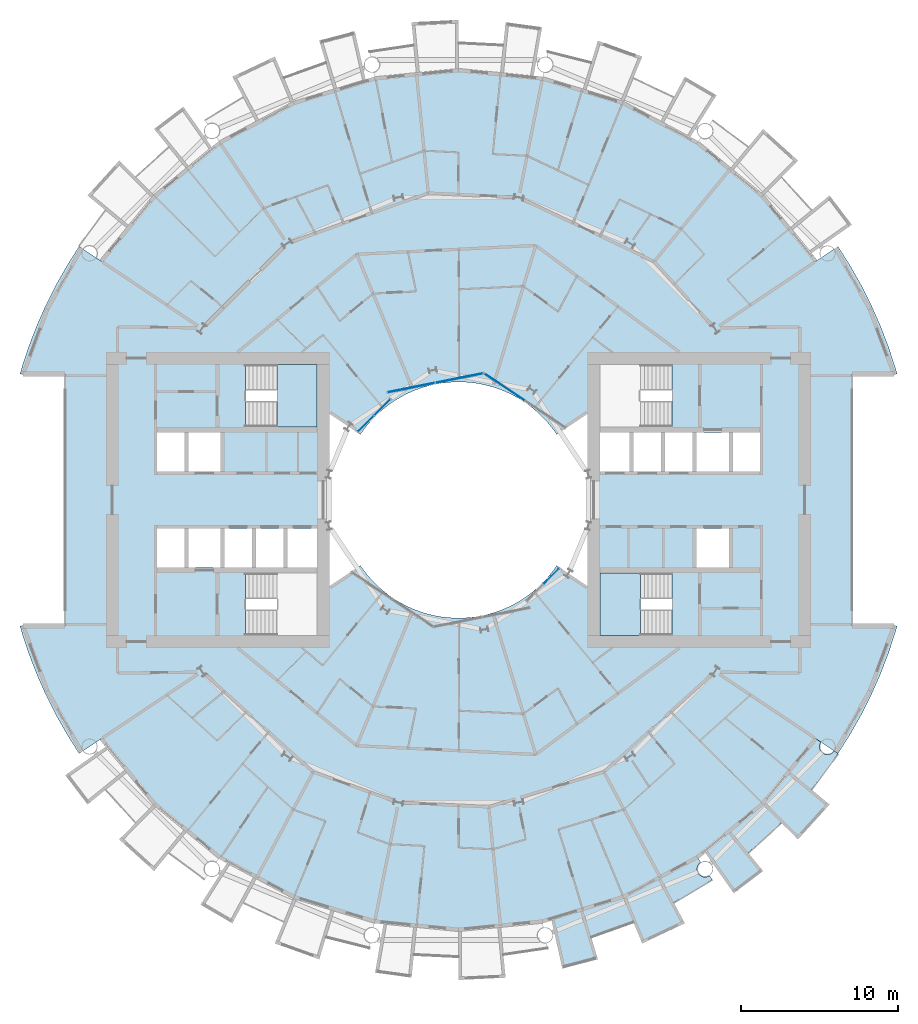
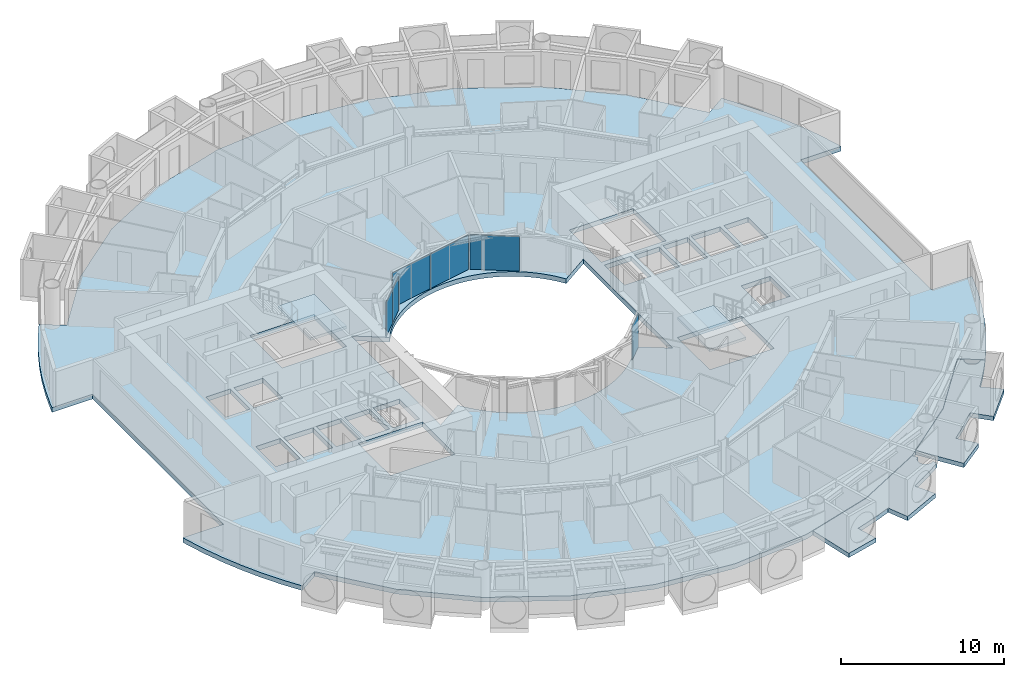
# One storey, part 10 of 25: 6 plates, 5 slabs, 6 elements without a shape of their own.
"""IFC4 building model written with IfcOpenShell, lengths in metres."""

from ifc_helpers import new_model, si_unit, direction, frame, origin, origin_2d, place, context, subcontext, project, spatial, polyline, rectangle, outline, extrude, material, layer, layer_set, type_object, element, aggregate, save


model = new_model("IFC4")

# Units and contexts
model_context = context("Model", 3, precision=1e-05, world=origin(), true_north=direction((0.0, 1.0)))
body_context = subcontext(model_context, "Body", "Model", "MODEL_VIEW")
ifc_project = project(units=[si_unit("LENGTHUNIT", "METRE"), si_unit("AREAUNIT", "SQUARE_METRE"), si_unit("VOLUMEUNIT", "CUBIC_METRE"), si_unit("PLANEANGLEUNIT", "RADIAN"), si_unit("MASSUNIT", "GRAM", prefix="KILO")], contexts=[model_context])

# Site, building, storey
site_placement = place(None, origin())
site = spatial("IfcSite", under=ifc_project, at=site_placement, CompositionType="ELEMENT")
building_placement = place(site_placement, origin())
building = spatial("IfcBuilding", under=site, at=building_placement, Name="Maasbend Ring Residences", CompositionType="ELEMENT")
storey_placement = place(building_placement, frame((0.0, 0.0, 41.10009765625)))
storey = spatial("IfcBuildingStorey", under=building, at=storey_placement, Name="L11", CompositionType="ELEMENT", Elevation=41.10009765625)

# Stair, slab
ifc_material_1 = material(Name="Concrete C40/50", Category="concrete")
stair_type = type_object("IfcStairType", Name="CORE STAIR 18 RISERS", PredefinedType="HALF_TURN_STAIR", material=ifc_material_1)
stair_1_placement = place(storey_placement, origin())
stair_1 = element("IfcStair", 1, at=stair_1_placement, inside=storey, type_object=stair_type, Name="L11 Exit stair ST-E2", PredefinedType="HALF_TURN_STAIR")
ifc_material_2 = material(Name="Concrete C40/50", Category="concrete")
ifc_layer_1 = layer(ifc_material_2, 0.199951171875)
ifc_layer_set_1 = layer_set([ifc_layer_1], Name="Concrete C40/50")
slab_type_1 = type_object("IfcSlabType", Name="CORE STAIR LANDING 200", PredefinedType="LANDING", material=ifc_layer_set_1)
slab_1_placement = place(storey_placement, frame((0.0, 0.0, 1.324951171875)))
slab_1 = element("IfcSlab", 2, at=slab_1_placement, type_object=slab_type_1, Name="ST-E2 landing 1", PredefinedType="LANDING", context=body_context, shape_type="SweptSolid", body=[
    extrude(outline(polyline([(11.550048828125, -4.64990234375), (9.0, -4.64990234375), (9.0, -8.60009765625), (11.550048828125, -8.60009765625), (11.550048828125, -4.64990234375)])), origin(), (0.0, 0.0, 1.0), 0.199951171875),
])
aggregate(stair_1, [slab_1])

stair_2_placement = place(storey_placement, origin())
stair_2 = element("IfcStair", 3, at=stair_2_placement, inside=storey, type_object=stair_type, Name="L11 Exit stair ST-W2", PredefinedType="HALF_TURN_STAIR")
slab_2_placement = place(storey_placement, frame((0.0, 0.0, 1.324951171875)))
slab_2 = element("IfcSlab", 4, at=slab_2_placement, type_object=slab_type_1, Name="ST-W2 landing 1", PredefinedType="LANDING", context=body_context, shape_type="SweptSolid", body=[
    extrude(outline(polyline([(-11.550048828125, 4.64990234375), (-9.0, 4.64990234375), (-9.0, 8.60009765625), (-11.550048828125, 8.60009765625), (-11.550048828125, 4.64990234375)])), origin(), (0.0, 0.0, 1.0), 0.199951171875),
])
aggregate(stair_2, [slab_2])

# Curtain wall, plate
ifc_material_3 = material(Name="Aluminium and clear glass", Category="aluminium")
ifc_layer_2 = layer(ifc_material_3, 0.179931640625)
ifc_layer_set_2 = layer_set([ifc_layer_2], Name="CW-W")
curtain_wall_type = type_object("IfcCurtainWallType", Name="CW-W", PredefinedType="NOTDEFINED", material=ifc_layer_set_2)
curtain_wall_1_placement = place(storey_placement, origin())
curtain_wall_1 = element("IfcCurtainWall", 5, at=curtain_wall_1_placement, inside=storey, type_object=curtain_wall_type, Name="Well curtain wall N1", PredefinedType="NOTDEFINED")
ifc_material_4 = material(Name="Glass clear laminated", Category="glass")
ifc_layer_3 = layer(ifc_material_4, 0.031982421875)
ifc_layer_set_3 = layer_set([ifc_layer_3], Name="CWP-W")
plate_type = type_object("IfcPlateType", Name="CWP-W", PredefinedType="CURTAIN_PANEL", material=ifc_layer_set_3)
plate_1_placement = place(storey_placement, frame((2.922119140625, 7.17578125, -0.000244140625), z_axis=(0.0, 0.0, 1.0), x_axis=(-0.831469612303, 0.55557023302, 0.0)))
plate_1 = element("IfcPlate", 6, at=plate_1_placement, type_object=plate_type, Name="Glass panel well face", PredefinedType="CURTAIN_PANEL", context=body_context, shape_type="SweptSolid", body=[
    extrude(rectangle(XDim=3.053955078125, YDim=0.031982421875, at=origin_2d()), origin(), (0.0, 0.0, 1.0), 2.580078125),
])
aggregate(curtain_wall_1, [plate_1])

# Curtain wall, plates
curtain_wall_2_placement = place(storey_placement, origin())
curtain_wall_2 = element("IfcCurtainWall", 7, at=curtain_wall_2_placement, inside=storey, type_object=curtain_wall_type, Name="Well curtain wall N2", PredefinedType="NOTDEFINED")
plate_2_placement = place(storey_placement, frame((0.04638671875, 7.747802734375, -0.000244140625), z_axis=(0.0, 0.0, 1.0), x_axis=(-0.980785280403, -0.195090322016, 0.0)))
plate_2 = element("IfcPlate", 8, at=plate_2_placement, type_object=plate_type, Name="Glass panel well face", PredefinedType="CURTAIN_PANEL", context=body_context, shape_type="SweptSolid", body=[
    extrude(rectangle(XDim=3.053955078125, YDim=0.031982421875, at=origin_2d()), origin(), (0.0, 0.0, 1.0), 2.580078125),
])
plate_3_placement = place(storey_placement, frame((-3.0078125, 7.140380859375, -0.000244140625), z_axis=(0.0, 0.0, 1.0), x_axis=(-0.980785280403, -0.195090322016, 0.0)))
plate_3 = element("IfcPlate", 9, at=plate_3_placement, type_object=plate_type, Name="Glass panel well face", PredefinedType="CURTAIN_PANEL", context=body_context, shape_type="SweptSolid", body=[
    extrude(rectangle(XDim=3.053955078125, YDim=0.031982421875, at=origin_2d()), origin(), (0.0, 0.0, 1.0), 2.580078125),
])
aggregate(curtain_wall_2, [plate_2, plate_3])

curtain_wall_3_placement = place(storey_placement, origin())
curtain_wall_3 = element("IfcCurtainWall", 10, at=curtain_wall_3_placement, inside=storey, type_object=curtain_wall_type, Name="Well curtain wall N3", PredefinedType="NOTDEFINED")
plate_4_placement = place(storey_placement, frame((-4.84375, 5.89013671875, -0.000244140625), z_axis=(0.0, 0.0, 1.0), x_axis=(-0.707106781187, -0.707106781187, 0.0)))
plate_4 = element("IfcPlate", 11, at=plate_4_placement, type_object=plate_type, Name="Glass panel well face", PredefinedType="CURTAIN_PANEL", context=body_context, shape_type="SweptSolid", body=[
    extrude(rectangle(XDim=1.419677734375, YDim=0.031982421875, at=origin_2d()), origin(), (0.0, 0.0, 1.0), 2.580078125),
])
plate_5_placement = place(storey_placement, frame((-5.89013671875, 4.84375, -0.000244140625), z_axis=(0.0, 0.0, 1.0), x_axis=(-0.707106781187, -0.707106781187, 0.0)))
plate_5 = element("IfcPlate", 12, at=plate_5_placement, type_object=plate_type, Name="Glass panel well face", PredefinedType="CURTAIN_PANEL", context=body_context, shape_type="SweptSolid", body=[
    extrude(rectangle(XDim=1.419677734375, YDim=0.031982421875, at=origin_2d()), origin(), (0.0, 0.0, 1.0), 2.580078125),
])
aggregate(curtain_wall_3, [plate_4, plate_5])

# Curtain wall, plate
curtain_wall_4_placement = place(storey_placement, origin())
curtain_wall_4 = element("IfcCurtainWall", 13, at=curtain_wall_4_placement, inside=storey, type_object=curtain_wall_type, Name="Well curtain wall S3", PredefinedType="NOTDEFINED")
plate_6_placement = place(storey_placement, frame((5.89013671875, -4.84375, -0.000244140625), z_axis=(0.0, 0.0, 1.0), x_axis=(0.707106781187, 0.707106781187, 0.0)))
plate_6 = element("IfcPlate", 14, at=plate_6_placement, type_object=plate_type, Name="Glass panel well face", PredefinedType="CURTAIN_PANEL", context=body_context, shape_type="SweptSolid", body=[
    extrude(rectangle(XDim=1.419677734375, YDim=0.031982421875, at=origin_2d()), origin(), (0.0, 0.0, 1.0), 2.580078125),
])
aggregate(curtain_wall_4, [plate_6])

# Slabs
ifc_material_5 = material(Name="Concrete C40/50", Category="concrete")
ifc_layer_4 = layer(ifc_material_5, 0.35009765625)
ifc_layer_set_4 = layer_set([ifc_layer_4], Name="Concrete C40/50")
slab_type_2 = type_object("IfcSlabType", Name="Post-tensioned flat plate 350", PredefinedType="FLOOR", material=ifc_layer_set_4)
slab_3_placement = place(storey_placement, frame((0.0, 0.0, -0.35009765625)))
element("IfcSlab", 15, at=slab_3_placement, inside=storey, type_object=slab_type_2, Name="Floor slab L11", PredefinedType="FLOOR", context=body_context, shape_type="SweptSolid", body=[
    extrude(outline(polyline([(24.8740234375, -14.908935546875), (25.57568359375, -13.67041015625), (26.2158203125, -12.399169921875), (26.79248046875, -11.097900390625), (27.3046875, -9.769775390625), (27.751220703125, -8.418212890625), (27.866943359375, -8.0), (25.0, -8.0), (25.0, 8.0), (27.866943359375, 8.0), (27.751220703125, 8.418212890625), (27.3046875, 9.769775390625), (26.79248046875, 11.097900390625), (26.2158203125, 12.399169921875), (25.57568359375, 13.67041015625), (24.8740234375, 14.908935546875), (24.112548828125, 16.111572265625), (22.69921875, 15.1669921875), (19.303955078125, 19.303955078125), (15.1669921875, 22.69921875), (10.447265625, 25.221923828125), (5.325927734375, 26.775390625), (0.0, 27.300048828125), (-5.325927734375, 26.775390625), (-10.447265625, 25.221923828125), (-15.1669921875, 22.69921875), (-19.303955078125, 19.303955078125), (-22.69921875, 15.1669921875), (-24.112548828125, 16.111572265625), (-24.8740234375, 14.908935546875), (-25.57568359375, 13.67041015625), (-26.2158203125, 12.399169921875), (-26.79248046875, 11.097900390625), (-27.3046875, 9.769775390625), (-27.751220703125, 8.418212890625), (-27.866943359375, 8.0), (-25.0, 8.0), (-25.0, -8.0), (-27.866943359375, -8.0), (-27.751220703125, -8.418212890625), (-27.3046875, -9.769775390625), (-26.79248046875, -11.097900390625), (-26.2158203125, -12.399169921875), (-25.57568359375, -13.67041015625), (-24.8740234375, -14.908935546875), (-24.112548828125, -16.111572265625), (-22.69921875, -15.1669921875), (-19.303955078125, -19.303955078125), (-15.1669921875, -22.69921875), (-10.447265625, -25.221923828125), (-5.325927734375, -26.775390625), (0.0, -27.300048828125), (5.325927734375, -26.775390625), (10.447265625, -25.221923828125), (15.1669921875, -22.69921875), (19.303955078125, -19.303955078125), (22.69921875, -15.1669921875), (24.112548828125, -16.111572265625), (24.8740234375, -14.908935546875)]), holes=[polyline([(17.425048828125, 4.27490234375), (19.14990234375, 4.27490234375), (19.14990234375, 1.824951171875), (17.425048828125, 1.824951171875), (17.425048828125, 4.27490234375)]), polyline([(15.125, 1.824951171875), (15.125, 4.27490234375), (17.175048828125, 4.27490234375), (17.175048828125, 1.824951171875), (15.125, 1.824951171875)]), polyline([(15.125, -4.27490234375), (15.125, -1.824951171875), (17.175048828125, -1.824951171875), (17.175048828125, -4.27490234375), (15.125, -4.27490234375)]), polyline([(13.125, 1.824951171875), (13.125, 4.27490234375), (14.875, 4.27490234375), (14.875, 1.824951171875), (13.125, 1.824951171875)]), polyline([(13.550048828125, 4.64990234375), (9.0, 4.64990234375), (9.0, 8.60009765625), (13.550048828125, 8.60009765625), (13.550048828125, 4.64990234375)]), polyline([(13.550048828125, -4.64990234375), (13.550048828125, -8.60009765625), (9.0, -8.60009765625), (9.0, -4.64990234375), (13.550048828125, -4.64990234375)]), polyline([(11.125, 1.824951171875), (11.125, 4.27490234375), (12.875, 4.27490234375), (12.875, 1.824951171875), (11.125, 1.824951171875)]), polyline([(9.0, 1.824951171875), (9.0, 4.27490234375), (10.875, 4.27490234375), (10.875, 1.824951171875), (9.0, 1.824951171875)]), polyline([(6.024169921875, 4.4677734375), (6.236083984375, 4.166748046875), (8.199951171875, 5.47900390625), (8.199951171875, -5.47900390625), (6.236083984375, -4.166748046875), (6.024169921875, -4.4677734375), (5.797607421875, -4.7578125), (5.55712890625, -5.03662109375), (5.30322265625, -5.30322265625), (5.03662109375, -5.55712890625), (4.7578125, -5.797607421875), (4.4677734375, -6.024169921875), (4.166748046875, -6.236083984375), (3.855712890625, -6.43310546875), (3.535400390625, -6.614501953125), (3.206787109375, -6.77978515625), (2.8701171875, -6.92919921875), (2.526611328125, -7.0615234375), (2.177001953125, -7.177001953125), (1.822509765625, -7.275146484375), (1.463134765625, -7.35595703125), (1.1005859375, -7.418701171875), (0.735107421875, -7.4638671875), (0.367919921875, -7.490966796875), (0.0, -7.5), (-0.367919921875, -7.490966796875), (-0.735107421875, -7.4638671875), (-1.1005859375, -7.418701171875), (-1.463134765625, -7.35595703125), (-1.822509765625, -7.275146484375), (-2.177001953125, -7.177001953125), (-2.526611328125, -7.0615234375), (-2.8701171875, -6.92919921875), (-3.206787109375, -6.77978515625), (-3.535400390625, -6.614501953125), (-3.855712890625, -6.43310546875), (-4.166748046875, -6.236083984375), (-4.4677734375, -6.024169921875), (-4.7578125, -5.797607421875), (-5.03662109375, -5.55712890625), (-5.30322265625, -5.30322265625), (-5.55712890625, -5.03662109375), (-5.797607421875, -4.7578125), (-6.024169921875, -4.4677734375), (-6.236083984375, -4.166748046875), (-8.199951171875, -5.47900390625), (-8.199951171875, 5.47900390625), (-6.236083984375, 4.166748046875), (-6.236083984375, 4.166748046875), (-6.024169921875, 4.4677734375), (-5.797607421875, 4.7578125), (-5.55712890625, 5.03662109375), (-5.30322265625, 5.30322265625), (-5.03662109375, 5.55712890625), (-4.7578125, 5.797607421875), (-4.4677734375, 6.024169921875), (-4.166748046875, 6.236083984375), (-3.855712890625, 6.43310546875), (-3.535400390625, 6.614501953125), (-3.206787109375, 6.77978515625), (-2.8701171875, 6.92919921875), (-2.526611328125, 7.0615234375), (-2.177001953125, 7.177001953125), (-1.822509765625, 7.275146484375), (-1.463134765625, 7.35595703125), (-1.1005859375, 7.418701171875), (-0.735107421875, 7.4638671875), (-0.367919921875, 7.490966796875), (0.0, 7.5), (0.367919921875, 7.490966796875), (0.735107421875, 7.4638671875), (1.1005859375, 7.418701171875), (1.463134765625, 7.35595703125), (1.822509765625, 7.275146484375), (2.177001953125, 7.177001953125), (2.526611328125, 7.0615234375), (2.8701171875, 6.92919921875), (3.206787109375, 6.77978515625), (3.535400390625, 6.614501953125), (3.855712890625, 6.43310546875), (4.166748046875, 6.236083984375), (4.4677734375, 6.024169921875), (4.7578125, 5.797607421875), (5.03662109375, 5.55712890625), (5.30322265625, 5.30322265625), (5.55712890625, 5.03662109375), (5.797607421875, 4.7578125), (6.024169921875, 4.4677734375)]), polyline([(-13.550048828125, 4.64990234375), (-13.550048828125, 8.60009765625), (-9.0, 8.60009765625), (-9.0, 4.64990234375), (-13.550048828125, 4.64990234375)]), polyline([(-13.550048828125, -8.60009765625), (-13.550048828125, -4.64990234375), (-9.0, -4.64990234375), (-9.0, -8.60009765625), (-13.550048828125, -8.60009765625)]), polyline([(-9.0, -1.824951171875), (-9.0, -4.27490234375), (-10.875, -4.27490234375), (-10.875, -1.824951171875), (-9.0, -1.824951171875)]), polyline([(-11.125, -1.824951171875), (-11.125, -4.27490234375), (-12.875, -4.27490234375), (-12.875, -1.824951171875), (-11.125, -1.824951171875)]), polyline([(-13.125, -1.824951171875), (-13.125, -4.27490234375), (-14.875, -4.27490234375), (-14.875, -1.824951171875), (-13.125, -1.824951171875)]), polyline([(-15.125, 4.27490234375), (-15.125, 1.824951171875), (-17.175048828125, 1.824951171875), (-17.175048828125, 4.27490234375), (-15.125, 4.27490234375)]), polyline([(-15.125, -1.824951171875), (-15.125, -4.27490234375), (-17.175048828125, -4.27490234375), (-17.175048828125, -1.824951171875), (-15.125, -1.824951171875)]), polyline([(-17.425048828125, -1.824951171875), (-17.425048828125, -4.27490234375), (-19.14990234375, -4.27490234375), (-19.14990234375, -1.824951171875), (-17.425048828125, -1.824951171875)]), polyline([(-17.425048828125, 4.27490234375), (-17.425048828125, 1.824951171875), (-19.14990234375, 1.824951171875), (-19.14990234375, 4.27490234375), (-17.425048828125, 4.27490234375)])]), origin(), (0.0, 0.0, 1.0), 0.35009765625),
])
ifc_material_6 = material(Name="Concrete C40/50", Category="concrete")
ifc_layer_5 = layer(ifc_material_6, 0.199951171875)
ifc_layer_set_5 = layer_set([ifc_layer_5], Name="Concrete C40/50")
slab_type_3 = type_object("IfcSlabType", Name="SL-LOGGIA", PredefinedType="FLOOR", material=ifc_layer_set_5)
slab_4_placement = place(storey_placement, frame((0.0, 0.0, -0.35009765625)))
element("IfcSlab", 16, at=slab_4_placement, inside=storey, type_object=slab_type_3, Name="Loggia floor 1", PredefinedType="FLOOR", context=body_context, shape_type="SweptSolid", body=[
    extrude(outline(polyline([(10.447021484375, -25.221923828125), (12.806884765625, -23.9609375), (15.1669921875, -22.698974609375), (15.1669921875, -22.698974609375), (15.1669921875, -22.698974609375), (15.385009765625, -23.02490234375), (15.375, -23.031982421875), (15.364013671875, -23.0390625), (15.35498046875, -23.047119140625), (15.344970703125, -23.054931640625), (15.3349609375, -23.06298828125), (15.325927734375, -23.071044921875), (15.31689453125, -23.0791015625), (15.30810546875, -23.087890625), (15.299072265625, -23.096923828125), (15.291015625, -23.10595703125), (15.281982421875, -23.115966796875), (15.27392578125, -23.125), (15.26708984375, -23.135009765625), (15.259033203125, -23.14501953125), (15.251953125, -23.155029296875), (15.2451171875, -23.1650390625), (15.238037109375, -23.176025390625), (15.23095703125, -23.18603515625), (15.22509765625, -23.197021484375), (15.218994140625, -23.2080078125), (15.212890625, -23.218994140625), (15.2080078125, -23.22998046875), (15.202880859375, -23.241943359375), (15.197998046875, -23.2529296875), (15.193115234375, -23.264892578125), (15.18896484375, -23.27587890625), (15.18505859375, -23.2880859375), (15.180908203125, -23.300048828125), (15.177978515625, -23.31201171875), (15.174072265625, -23.323974609375), (15.1708984375, -23.3359375), (15.1689453125, -23.347900390625), (15.1669921875, -23.361083984375), (15.1650390625, -23.373046875), (15.1630859375, -23.385009765625), (15.162109375, -23.39794921875), (15.159912109375, -23.409912109375), (15.159912109375, -23.422119140625), (15.158935546875, -23.43505859375), (15.158935546875, -23.447021484375), (15.158935546875, -23.4599609375), (15.159912109375, -23.471923828125), (15.159912109375, -23.485107421875), (15.162109375, -23.4970703125), (15.1630859375, -23.510009765625), (15.1650390625, -23.52197265625), (15.1669921875, -23.533935546875), (15.1689453125, -23.547119140625), (15.1708984375, -23.55908203125), (15.174072265625, -23.571044921875), (15.177978515625, -23.5830078125), (15.180908203125, -23.594970703125), (15.18505859375, -23.60693359375), (15.18896484375, -23.618896484375), (15.193115234375, -23.6298828125), (15.197998046875, -23.64208984375), (15.202880859375, -23.653076171875), (15.2080078125, -23.6650390625), (15.212890625, -23.676025390625), (15.218994140625, -23.68701171875), (15.22509765625, -23.697998046875), (15.23095703125, -23.708984375), (15.238037109375, -23.718994140625), (15.2451171875, -23.72998046875), (15.251953125, -23.739990234375), (15.259033203125, -23.75), (15.26708984375, -23.760009765625), (15.27392578125, -23.77001953125), (15.281982421875, -23.779052734375), (15.291015625, -23.7890625), (15.299072265625, -23.798095703125), (15.30810546875, -23.806884765625), (15.31689453125, -23.81494140625), (15.325927734375, -23.823974609375), (15.3349609375, -23.83203125), (15.344970703125, -23.840087890625), (15.35498046875, -23.847900390625), (15.364013671875, -23.85498046875), (15.375, -23.863037109375), (15.385009765625, -23.8701171875), (15.39501953125, -23.876953125), (15.406005859375, -23.883056640625), (15.4169921875, -23.888916015625), (15.427978515625, -23.89501953125), (15.43896484375, -23.90087890625), (15.449951171875, -23.906982421875), (15.4609375, -23.912109375), (15.472900390625, -23.9169921875), (15.48388671875, -23.9208984375), (15.49609375, -23.926025390625), (15.508056640625, -23.929931640625), (15.52001953125, -23.93408203125), (15.531982421875, -23.93701171875), (15.5439453125, -23.93994140625), (15.555908203125, -23.943115234375), (15.568115234375, -23.946044921875), (15.580078125, -23.947998046875), (15.593017578125, -23.949951171875), (15.60498046875, -23.951904296875), (15.616943359375, -23.952880859375), (15.6298828125, -23.9541015625), (15.64208984375, -23.955078125), (15.655029296875, -23.955078125), (15.6669921875, -23.955078125), (15.679931640625, -23.955078125), (15.69189453125, -23.955078125), (15.7041015625, -23.9541015625), (15.717041015625, -23.952880859375), (15.72900390625, -23.951904296875), (15.741943359375, -23.949951171875), (15.75390625, -23.947998046875), (15.76611328125, -23.946044921875), (15.778076171875, -23.943115234375), (15.791015625, -23.93994140625), (15.802978515625, -23.93701171875), (15.81494140625, -23.93408203125), (15.825927734375, -23.929931640625), (15.837890625, -23.926025390625), (15.85009765625, -23.9208984375), (15.862060546875, -23.9169921875), (15.873046875, -23.912109375), (15.884033203125, -23.906982421875), (15.89599609375, -23.90087890625), (15.906982421875, -23.89501953125), (15.9169921875, -23.888916015625), (15.927978515625, -23.883056640625), (15.93896484375, -23.876953125), (15.948974609375, -23.8701171875), (16.112060546875, -24.113037109375), (16.112060546875, -24.113037109375), (16.112060546875, -24.113037109375), (15.31396484375, -24.626953125), (15.31396484375, -24.626953125), (14.5, -25.114990234375), (14.5, -25.114990234375), (13.6708984375, -25.574951171875), (13.6708984375, -25.575927734375), (13.6708984375, -25.575927734375), (13.6708984375, -25.575927734375), (13.6708984375, -25.575927734375), (13.6708984375, -25.575927734375), (13.6708984375, -25.575927734375), (13.6708984375, -25.575927734375), (13.6708984375, -25.575927734375), (13.6708984375, -25.575927734375), (13.6708984375, -25.575927734375), (13.6708984375, -25.575927734375), (13.6708984375, -25.575927734375), (13.6708984375, -25.575927734375), (13.6708984375, -25.575927734375), (13.6708984375, -25.575927734375), (13.6708984375, -25.575927734375), (14.3779296875, -26.89892578125), (14.3779296875, -26.89892578125), (14.3779296875, -26.89892578125), (11.672119140625, -28.177978515625), (11.672119140625, -28.177978515625), (11.672119140625, -28.177978515625), (11.097900390625, -26.79296875), (11.097900390625, -26.79296875), (11.097900390625, -26.79296875), (11.097900390625, -26.79296875), (11.097900390625, -26.79296875), (11.097900390625, -26.79296875), (11.097900390625, -26.79296875), (11.097900390625, -26.79296875), (11.097900390625, -26.79296875), (11.097900390625, -26.79296875), (11.097900390625, -26.79296875), (11.097900390625, -26.79296875), (11.097900390625, -26.79296875), (11.097900390625, -26.79296875), (11.096923828125, -26.79296875), (11.096923828125, -26.79296875), (11.096923828125, -26.79296875), (10.215087890625, -27.14111328125), (10.215087890625, -27.14111328125), (9.322021484375, -27.4609375), (9.322021484375, -27.4609375), (8.4189453125, -27.7509765625), (8.4189453125, -27.7509765625), (8.4189453125, -27.7509765625), (8.4189453125, -27.7509765625), (8.4189453125, -27.7509765625), (8.4189453125, -27.7509765625), (8.41796875, -27.7509765625), (8.41796875, -27.7509765625), (8.41796875, -27.7509765625), (8.41796875, -27.7509765625), (8.41796875, -27.7509765625), (8.41796875, -27.751953125), (8.41796875, -27.751953125), (8.41796875, -27.751953125), (8.41796875, -27.751953125), (8.41796875, -27.751953125), (8.41796875, -27.751953125), (8.85400390625, -29.18701171875), (8.85400390625, -29.18701171875), (8.85400390625, -29.18701171875), (6.593994140625, -29.779052734375), (6.593994140625, -29.779052734375), (6.593994140625, -29.779052734375), (5.89111328125, -26.60400390625), (5.89111328125, -26.60400390625), (5.89111328125, -26.60400390625), (7.886962890625, -25.9990234375), (10.447021484375, -25.221923828125), (10.447021484375, -25.221923828125), (10.447021484375, -25.221923828125)])), origin(), (0.0, 0.0, 1.0), 0.320068359375),
])
slab_5_placement = place(storey_placement, frame((0.0, 0.0, -0.35009765625)))
element("IfcSlab", 17, at=slab_5_placement, inside=storey, type_object=slab_type_3, Name="Loggia floor 4", PredefinedType="FLOOR", context=body_context, shape_type="SweptSolid", body=[
    extrude(outline(polyline([(19.303955078125, -19.303955078125), (21.001953125, -17.236083984375), (22.698974609375, -15.1669921875), (22.698974609375, -15.1669921875), (22.698974609375, -15.1669921875), (23.02490234375, -15.385009765625), (23.02490234375, -15.385009765625), (23.01806640625, -15.39501953125), (23.011962890625, -15.406005859375), (23.0048828125, -15.4169921875), (22.9990234375, -15.427978515625), (22.993896484375, -15.43896484375), (22.988037109375, -15.449951171875), (22.98291015625, -15.4609375), (22.97802734375, -15.472900390625), (22.972900390625, -15.48388671875), (22.968994140625, -15.49609375), (22.965087890625, -15.508056640625), (22.9609375, -15.52001953125), (22.9580078125, -15.531982421875), (22.955078125, -15.5439453125), (22.951904296875, -15.555908203125), (22.948974609375, -15.568115234375), (22.947021484375, -15.580078125), (22.945068359375, -15.593017578125), (22.943115234375, -15.60498046875), (22.94189453125, -15.616943359375), (22.94091796875, -15.6298828125), (22.93994140625, -15.64208984375), (22.93994140625, -15.655029296875), (22.93896484375, -15.6669921875), (22.93994140625, -15.679931640625), (22.93994140625, -15.69189453125), (22.94091796875, -15.7041015625), (22.94189453125, -15.717041015625), (22.943115234375, -15.72900390625), (22.945068359375, -15.741943359375), (22.947021484375, -15.75390625), (22.948974609375, -15.76611328125), (22.951904296875, -15.778076171875), (22.955078125, -15.791015625), (22.9580078125, -15.802978515625), (22.9609375, -15.81494140625), (22.965087890625, -15.825927734375), (22.968994140625, -15.837890625), (22.972900390625, -15.85009765625), (22.97802734375, -15.862060546875), (22.98291015625, -15.873046875), (22.988037109375, -15.884033203125), (22.993896484375, -15.89599609375), (22.9990234375, -15.906982421875), (23.0048828125, -15.9169921875), (23.011962890625, -15.927978515625), (23.01806640625, -15.93896484375), (23.02490234375, -15.948974609375), (23.031982421875, -15.9599609375), (23.0390625, -15.969970703125), (23.047119140625, -15.97998046875), (23.054931640625, -15.989013671875), (23.06298828125, -15.9990234375), (23.071044921875, -16.008056640625), (23.0791015625, -16.01708984375), (23.087890625, -16.02587890625), (23.096923828125, -16.034912109375), (23.10595703125, -16.0439453125), (23.115966796875, -16.052001953125), (23.125, -16.06005859375), (23.135009765625, -16.068115234375), (23.14501953125, -16.074951171875), (23.155029296875, -16.08203125), (23.1650390625, -16.089111328125), (23.176025390625, -16.095947265625), (23.18603515625, -16.10302734375), (23.197021484375, -16.10888671875), (23.2080078125, -16.114990234375), (23.218994140625, -16.12109375), (23.22998046875, -16.1259765625), (23.241943359375, -16.132080078125), (23.2529296875, -16.135986328125), (23.264892578125, -16.14111328125), (23.27587890625, -16.14501953125), (23.2880859375, -16.14892578125), (23.300048828125, -16.153076171875), (23.31201171875, -16.156982421875), (23.323974609375, -16.159912109375), (23.3359375, -16.1630859375), (23.347900390625, -16.1650390625), (23.361083984375, -16.16796875), (23.373046875, -16.169921875), (23.385009765625, -16.1708984375), (23.39794921875, -16.173095703125), (23.409912109375, -16.174072265625), (23.422119140625, -16.174072265625), (23.43505859375, -16.175048828125), (23.447021484375, -16.175048828125), (23.4599609375, -16.175048828125), (23.471923828125, -16.174072265625), (23.485107421875, -16.174072265625), (23.4970703125, -16.173095703125), (23.510009765625, -16.1708984375), (23.52197265625, -16.169921875), (23.533935546875, -16.16796875), (23.547119140625, -16.1650390625), (23.55908203125, -16.1630859375), (23.571044921875, -16.159912109375), (23.5830078125, -16.156982421875), (23.594970703125, -16.153076171875), (23.60693359375, -16.14892578125), (23.618896484375, -16.14501953125), (23.6298828125, -16.14111328125), (23.64208984375, -16.135986328125), (23.653076171875, -16.132080078125), (23.6650390625, -16.1259765625), (23.676025390625, -16.12109375), (23.68701171875, -16.114990234375), (23.697998046875, -16.10888671875), (23.708984375, -16.10302734375), (23.718994140625, -16.095947265625), (23.72998046875, -16.089111328125), (23.739990234375, -16.08203125), (23.75, -16.074951171875), (23.760009765625, -16.068115234375), (23.77001953125, -16.06005859375), (23.779052734375, -16.052001953125), (23.7890625, -16.0439453125), (23.798095703125, -16.034912109375), (23.806884765625, -16.02587890625), (23.81494140625, -16.01708984375), (23.823974609375, -16.008056640625), (23.83203125, -15.9990234375), (23.840087890625, -15.989013671875), (23.847900390625, -15.97998046875), (23.85498046875, -15.969970703125), (23.863037109375, -15.9599609375), (23.8701171875, -15.948974609375), (23.8701171875, -15.948974609375), (24.113037109375, -16.112060546875), (24.113037109375, -16.112060546875), (24.113037109375, -16.112060546875), (23.572998046875, -16.89208984375), (23.572998046875, -16.89208984375), (23.007080078125, -17.654052734375), (23.007080078125, -17.654052734375), (22.41796875, -18.39697265625), (22.41796875, -18.39697265625), (22.41796875, -18.39697265625), (22.41796875, -18.39697265625), (22.41796875, -18.39697265625), (22.41796875, -18.39697265625), (22.41796875, -18.39697265625), (22.41796875, -18.39697265625), (22.41796875, -18.39697265625), (22.41796875, -18.39697265625), (22.41796875, -18.39697265625), (22.41796875, -18.39794921875), (22.41796875, -18.39794921875), (22.41796875, -18.39794921875), (22.41796875, -18.39794921875), (22.41796875, -18.39794921875), (22.41796875, -18.39794921875), (23.576904296875, -19.34912109375), (23.576904296875, -19.34912109375), (23.576904296875, -19.34912109375), (21.56689453125, -21.56689453125), (21.56689453125, -21.56689453125), (21.56689453125, -21.56689453125), (20.506103515625, -20.506103515625), (20.506103515625, -20.506103515625), (20.506103515625, -20.506103515625), (20.506103515625, -20.506103515625), (20.506103515625, -20.506103515625), (20.506103515625, -20.506103515625), (20.506103515625, -20.506103515625), (20.506103515625, -20.506103515625), (20.506103515625, -20.506103515625), (20.506103515625, -20.506103515625), (20.506103515625, -20.506103515625), (20.506103515625, -20.506103515625), (20.506103515625, -20.506103515625), (20.506103515625, -20.506103515625), (20.506103515625, -20.506103515625), (20.506103515625, -20.506103515625), (20.506103515625, -20.506103515625), (19.823974609375, -21.166015625), (19.823974609375, -21.166015625), (19.12109375, -21.802978515625), (19.12109375, -21.802978515625), (18.39794921875, -22.4169921875), (18.39794921875, -22.4169921875), (18.39794921875, -22.4169921875), (18.39794921875, -22.4169921875), (18.39794921875, -22.4169921875), (18.39794921875, -22.4169921875), (18.39794921875, -22.4169921875), (18.39794921875, -22.4169921875), (18.39794921875, -22.4169921875), (18.39794921875, -22.4169921875), (18.39794921875, -22.4169921875), (18.39794921875, -22.4169921875), (18.39794921875, -22.41796875), (18.39794921875, -22.41796875), (18.39794921875, -22.41796875), (18.39794921875, -22.41796875), (18.39794921875, -22.41796875), (19.34912109375, -23.576904296875), (19.34912109375, -23.576904296875), (19.34912109375, -23.576904296875), (17.488037109375, -24.989013671875), (17.488037109375, -24.989013671875), (17.488037109375, -24.989013671875), (15.623046875, -22.324951171875), (15.623046875, -22.324951171875), (15.623046875, -22.324951171875), (17.236083984375, -21.001953125), (19.303955078125, -19.303955078125), (19.303955078125, -19.303955078125), (19.303955078125, -19.303955078125)])), origin(), (0.0, 0.0, 1.0), 0.320068359375),
])

save(model, "model.ifc")
